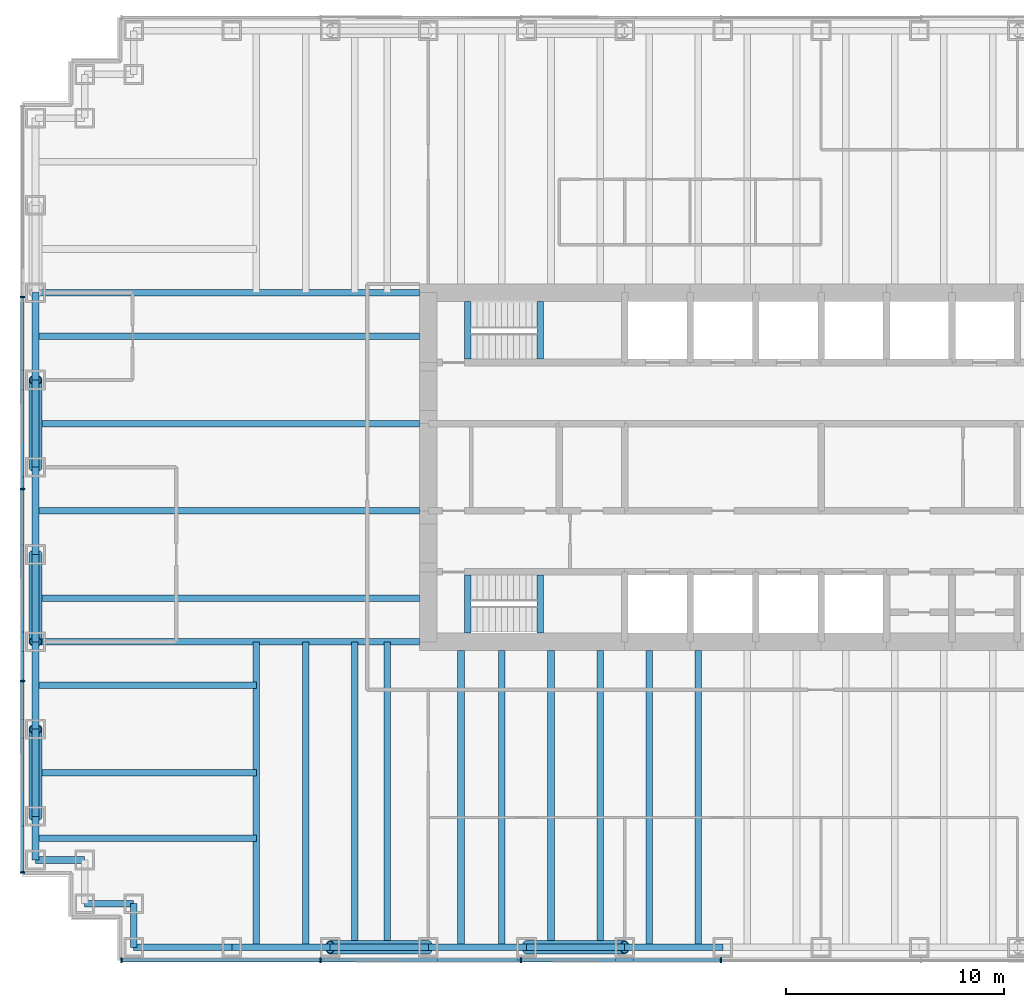
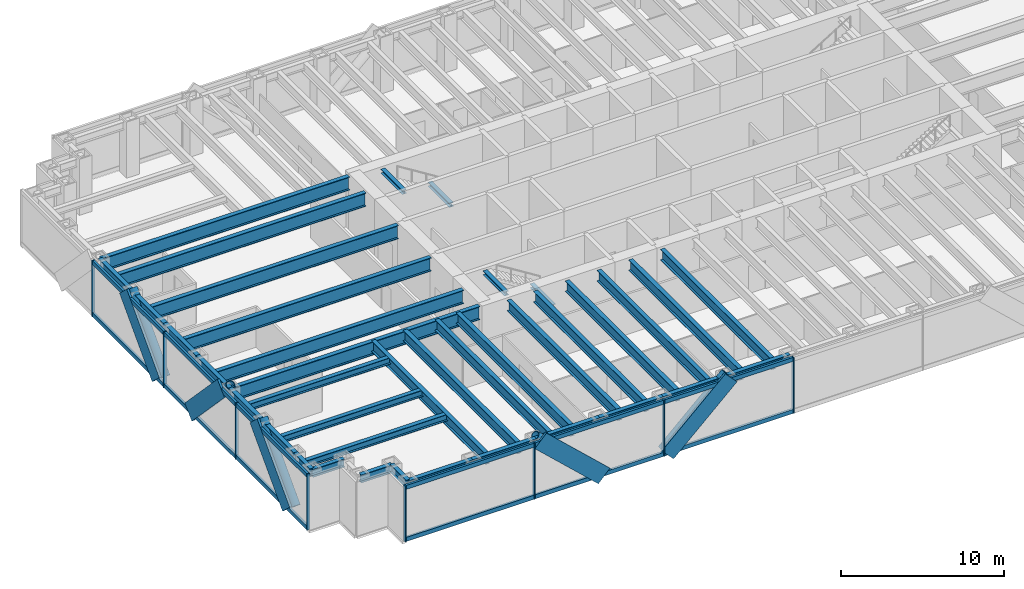
# One storey, part 2 of 14: 39 beams, 30 members, 2 elements without a shape of their own.
"""IFC4 building model written with IfcOpenShell, lengths in metres."""

from ifc_helpers import new_model, si_unit, direction, frame, origin, origin_2d, place, context, subcontext, project, spatial, rectangle, hollow_circle, i_section, extrude, material, material_profile, profile_set, type_object, element, aggregate, save


model = new_model("IFC4")

# Units and contexts
model_context = context("Model", 3, precision=1e-05, world=origin(), true_north=direction((0.0, 1.0)))
body_context = subcontext(model_context, "Body", "Model", "MODEL_VIEW")
ifc_project = project(units=[si_unit("LENGTHUNIT", "METRE"), si_unit("AREAUNIT", "SQUARE_METRE"), si_unit("VOLUMEUNIT", "CUBIC_METRE"), si_unit("PLANEANGLEUNIT", "RADIAN"), si_unit("MASSUNIT", "GRAM", prefix="KILO")], contexts=[model_context])

# Site, building, storey
site_placement = place(None, origin())
site = spatial("IfcSite", under=ifc_project, at=site_placement, CompositionType="ELEMENT")
building_placement = place(site_placement, origin())
building = spatial("IfcBuilding", under=site, at=building_placement, Name="Rheinbord Bourse Tower", CompositionType="ELEMENT")
storey_placement = place(building_placement, frame((0.0, 0.0, 202.60009765625)))
storey = spatial("IfcBuildingStorey", under=building, at=storey_placement, Name="L45", CompositionType="ELEMENT", Elevation=202.60009765625)

# Curtain wall, members
ifc_material_1 = material(Name="Dark glass and black aluminium", Category="aluminium")
curtain_wall_type = type_object("IfcCurtainWallType", Name="CW2 DARK GLASS CURTAIN WALL", PredefinedType="USERDEFINED", material=ifc_material_1)
curtain_wall_1_placement = place(storey_placement, origin())
curtain_wall_1 = element("IfcCurtainWall", 1, at=curtain_wall_1_placement, inside=storey, type_object=curtain_wall_type, Name="Curtain wall CW2 S L45", ObjectType="UNITISED CURTAIN WALL", PredefinedType="USERDEFINED")
ifc_material_2 = material(Name="Black anodised aluminium", Category="aluminium")
ifc_material_profile_1 = material_profile(ifc_material_2, rectangle(XDim=0.159912109375, YDim=1.2099609375, at=origin_2d()), Name="CW2 DIAGONAL MULLION 1210x160")
ifc_profile_set_1 = profile_set([ifc_material_profile_1], Name="Black anodised aluminium")
member_type_1 = type_object("IfcMemberType", Name="CW2 BLACK DIAGONAL MULLION", PredefinedType="USERDEFINED", material=ifc_profile_set_1)
member_1_placement = place(storey_placement, frame((22.5, 1.39990234375, 0.0), z_axis=(0.73105922506, 0.0, 0.682314010889), x_axis=(0.0, 1.0, 0.0)))
member_1 = element("IfcMember", 2, at=member_1_placement, type_object=member_type_1, Name="CW2 diagonal mullion b", ObjectType="DIAGONAL MULLION", PredefinedType="USERDEFINED", context=body_context, shape_type="SweptSolid", body=[
    extrude(rectangle(XDim=0.159912109375, YDim=1.2099609375, at=origin_2d()), origin(), (0.0, 0.0, 1.0), 6.155517578125),
])
member_2_placement = place(storey_placement, frame((18.0, 1.39990234375, 0.0), z_axis=(-0.73105922506, 0.0, 0.682314010889), x_axis=(0.0, -1.0, 0.0)))
member_2 = element("IfcMember", 3, at=member_2_placement, type_object=member_type_1, Name="CW2 diagonal mullion c", ObjectType="DIAGONAL MULLION", PredefinedType="USERDEFINED", context=body_context, shape_type="SweptSolid", body=[
    extrude(rectangle(XDim=0.159912109375, YDim=1.2099609375, at=origin_2d()), origin(), (0.0, 0.0, 1.0), 6.155517578125),
])

curtain_wall_2_placement = place(storey_placement, origin())
curtain_wall_2 = element("IfcCurtainWall", 4, at=curtain_wall_2_placement, inside=storey, type_object=curtain_wall_type, Name="Curtain wall CW2 W L45", ObjectType="UNITISED CURTAIN WALL", PredefinedType="USERDEFINED")
member_3_placement = place(storey_placement, frame((-0.60009765625, 8.0, 0.0), z_axis=(0.0, 0.689659376744, 0.724133926887), x_axis=(-1.0, 0.0, 0.0)))
member_3 = element("IfcMember", 5, at=member_3_placement, type_object=member_type_1, Name="CW2 diagonal mullion b", ObjectType="DIAGONAL MULLION", PredefinedType="USERDEFINED", context=body_context, shape_type="SweptSolid", body=[
    extrude(rectangle(XDim=0.159912109375, YDim=1.2099609375, at=origin_2d()), origin(), (0.0, 0.0, 1.0), 5.800048828125),
])
member_4_placement = place(storey_placement, frame((-0.60009765625, 20.0, 0.0), z_axis=(0.0, -0.689659376744, 0.724133926887), x_axis=(1.0, 0.0, 0.0)))
member_4 = element("IfcMember", 6, at=member_4_placement, type_object=member_type_1, Name="CW2 diagonal mullion c", ObjectType="DIAGONAL MULLION", PredefinedType="USERDEFINED", context=body_context, shape_type="SweptSolid", body=[
    extrude(rectangle(XDim=0.159912109375, YDim=1.2099609375, at=origin_2d()), origin(), (0.0, 0.0, 1.0), 5.800048828125),
])
member_5_placement = place(storey_placement, frame((-0.60009765625, 24.0, 0.0), z_axis=(0.0, 0.689659376744, 0.724133926887), x_axis=(-1.0, 0.0, 0.0)))
member_5 = element("IfcMember", 7, at=member_5_placement, type_object=member_type_1, Name="CW2 diagonal mullion d", ObjectType="DIAGONAL MULLION", PredefinedType="USERDEFINED", context=body_context, shape_type="SweptSolid", body=[
    extrude(rectangle(XDim=0.159912109375, YDim=1.2099609375, at=origin_2d()), origin(), (0.0, 0.0, 1.0), 5.800048828125),
])

# Member
ifc_material_3 = material(Name="Black anodised aluminium", Category="aluminium")
ifc_material_profile_2 = material_profile(ifc_material_3, rectangle(XDim=0.219970703125, YDim=0.070068359375, at=origin_2d()), Name="CW2 MULLION 70x220")
ifc_profile_set_2 = profile_set([ifc_material_profile_2], Name="Black anodised aluminium")
member_type_2 = type_object("IfcMemberType", Name="CW2 BLACK MULLION", PredefinedType="MULLION", material=ifc_profile_set_2)
member_6_placement = place(storey_placement, frame((3.93505859375, 1.39990234375, 0.0), z_axis=(0.0, 0.0, 1.0), x_axis=(0.0, 1.0, 0.0)))
member_6 = element("IfcMember", 8, at=member_6_placement, type_object=member_type_2, Name="CW2 mullion 1", PredefinedType="MULLION", context=body_context, shape_type="SweptSolid", body=[
    extrude(rectangle(XDim=0.219970703125, YDim=0.070068359375, at=origin_2d()), origin(), (0.0, 0.0, 1.0), 4.199951171875),
])

member_7_placement = place(storey_placement, frame((13.071533203125, 1.39990234375, 0.0), z_axis=(0.0, 0.0, 1.0), x_axis=(0.0, 1.0, 0.0)))
member_7 = element("IfcMember", 9, at=member_7_placement, type_object=member_type_2, Name="CW2 mullion 2", PredefinedType="MULLION", context=body_context, shape_type="SweptSolid", body=[
    extrude(rectangle(XDim=0.219970703125, YDim=0.070068359375, at=origin_2d()), origin(), (0.0, 0.0, 1.0), 4.199951171875),
])

member_8_placement = place(storey_placement, frame((22.242919921875, 1.39990234375, 0.0), z_axis=(0.0, 0.0, 1.0), x_axis=(0.0, 1.0, 0.0)))
member_8 = element("IfcMember", 10, at=member_8_placement, type_object=member_type_2, Name="CW2 mullion 3", PredefinedType="MULLION", context=body_context, shape_type="SweptSolid", body=[
    extrude(rectangle(XDim=0.219970703125, YDim=0.070068359375, at=origin_2d()), origin(), (0.0, 0.0, 1.0), 4.199951171875),
])

member_9_placement = place(storey_placement, frame((31.414306640625, 1.39990234375, 0.0), z_axis=(0.0, 0.0, 1.0), x_axis=(0.0, 1.0, 0.0)))
member_9 = element("IfcMember", 11, at=member_9_placement, type_object=member_type_2, Name="CW2 mullion 4", PredefinedType="MULLION", context=body_context, shape_type="SweptSolid", body=[
    extrude(rectangle(XDim=0.219970703125, YDim=0.070068359375, at=origin_2d()), origin(), (0.0, 0.0, 1.0), 4.199951171875),
])

member_10_placement = place(storey_placement, frame((-0.60009765625, 31.800048828125, 0.0), z_axis=(0.0, 0.0, 1.0), x_axis=(1.0, 0.0, 0.0)))
member_10 = element("IfcMember", 12, at=member_10_placement, type_object=member_type_2, Name="CW2 mullion 2", PredefinedType="MULLION", context=body_context, shape_type="SweptSolid", body=[
    extrude(rectangle(XDim=0.219970703125, YDim=0.070068359375, at=origin_2d()), origin(), (0.0, 0.0, 1.0), 4.199951171875),
])

member_11_placement = place(storey_placement, frame((-0.60009765625, 23.0, 0.0), z_axis=(0.0, 0.0, 1.0), x_axis=(1.0, 0.0, 0.0)))
member_11 = element("IfcMember", 13, at=member_11_placement, type_object=member_type_2, Name="CW2 mullion 3", PredefinedType="MULLION", context=body_context, shape_type="SweptSolid", body=[
    extrude(rectangle(XDim=0.219970703125, YDim=0.070068359375, at=origin_2d()), origin(), (0.0, 0.0, 1.0), 4.199951171875),
])

member_12_placement = place(storey_placement, frame((-0.60009765625, 14.199951171875, 0.0), z_axis=(0.0, 0.0, 1.0), x_axis=(1.0, 0.0, 0.0)))
member_12 = element("IfcMember", 14, at=member_12_placement, type_object=member_type_2, Name="CW2 mullion 4", PredefinedType="MULLION", context=body_context, shape_type="SweptSolid", body=[
    extrude(rectangle(XDim=0.219970703125, YDim=0.070068359375, at=origin_2d()), origin(), (0.0, 0.0, 1.0), 4.199951171875),
])

member_13_placement = place(storey_placement, frame((-0.60009765625, 5.43505859375, 0.0), z_axis=(0.0, 0.0, 1.0), x_axis=(1.0, 0.0, 0.0)))
member_13 = element("IfcMember", 15, at=member_13_placement, type_object=member_type_2, Name="CW2 mullion 5", PredefinedType="MULLION", context=body_context, shape_type="SweptSolid", body=[
    extrude(rectangle(XDim=0.219970703125, YDim=0.070068359375, at=origin_2d()), origin(), (0.0, 0.0, 1.0), 4.199951171875),
])

ifc_material_4 = material(Name="Black anodised aluminium", Category="aluminium")
ifc_material_profile_3 = material_profile(ifc_material_4, rectangle(XDim=0.159912109375, YDim=0.300048828125, at=origin_2d()), Name="CW2 TRANSOM 300x160")
ifc_profile_set_3 = profile_set([ifc_material_profile_3], Name="Black anodised aluminium")
member_type_3 = type_object("IfcMemberType", Name="CW2 BLACK TRANSOM", PredefinedType="USERDEFINED", material=ifc_profile_set_3)
member_14_placement = place(storey_placement, frame((3.969970703125, 1.39990234375, 0.14990234375), z_axis=(1.0, 0.0, 0.0), x_axis=(0.0, 1.0, 0.0)))
member_14 = element("IfcMember", 16, at=member_14_placement, type_object=member_type_3, Name="CW2 transom 1.1", ObjectType="TRANSOM", PredefinedType="USERDEFINED", context=body_context, shape_type="SweptSolid", body=[
    extrude(rectangle(XDim=0.159912109375, YDim=0.300048828125, at=origin_2d()), origin(), (0.0, 0.0, 1.0), 9.06640625),
])

member_15_placement = place(storey_placement, frame((3.969970703125, 1.39990234375, 4.0498046875), z_axis=(1.0, 0.0, 0.0), x_axis=(0.0, 1.0, 0.0)))
member_15 = element("IfcMember", 17, at=member_15_placement, type_object=member_type_3, Name="CW2 transom 1.2", ObjectType="TRANSOM", PredefinedType="USERDEFINED", context=body_context, shape_type="SweptSolid", body=[
    extrude(rectangle(XDim=0.159912109375, YDim=0.300048828125, at=origin_2d()), origin(), (0.0, 0.0, 1.0), 9.06640625),
])

member_16_placement = place(storey_placement, frame((13.1064453125, 1.39990234375, 0.14990234375), z_axis=(1.0, 0.0, 0.0), x_axis=(0.0, 1.0, 0.0)))
member_16 = element("IfcMember", 18, at=member_16_placement, type_object=member_type_3, Name="CW2 transom 2.1", ObjectType="TRANSOM", PredefinedType="USERDEFINED", context=body_context, shape_type="SweptSolid", body=[
    extrude(rectangle(XDim=0.159912109375, YDim=0.300048828125, at=origin_2d()), origin(), (0.0, 0.0, 1.0), 9.101318359375),
])

member_17_placement = place(storey_placement, frame((13.1064453125, 1.39990234375, 4.0498046875), z_axis=(1.0, 0.0, 0.0), x_axis=(0.0, 1.0, 0.0)))
member_17 = element("IfcMember", 19, at=member_17_placement, type_object=member_type_3, Name="CW2 transom 2.2", ObjectType="TRANSOM", PredefinedType="USERDEFINED", context=body_context, shape_type="SweptSolid", body=[
    extrude(rectangle(XDim=0.159912109375, YDim=0.300048828125, at=origin_2d()), origin(), (0.0, 0.0, 1.0), 9.101318359375),
])

member_18_placement = place(storey_placement, frame((22.27783203125, 1.39990234375, 0.14990234375), z_axis=(1.0, 0.0, 0.0), x_axis=(0.0, 1.0, 0.0)))
member_18 = element("IfcMember", 20, at=member_18_placement, type_object=member_type_3, Name="CW2 transom 3.1", ObjectType="TRANSOM", PredefinedType="USERDEFINED", context=body_context, shape_type="SweptSolid", body=[
    extrude(rectangle(XDim=0.159912109375, YDim=0.300048828125, at=origin_2d()), origin(), (0.0, 0.0, 1.0), 9.1015625),
])

member_19_placement = place(storey_placement, frame((22.27783203125, 1.39990234375, 4.0498046875), z_axis=(1.0, 0.0, 0.0), x_axis=(0.0, 1.0, 0.0)))
member_19 = element("IfcMember", 21, at=member_19_placement, type_object=member_type_3, Name="CW2 transom 3.2", ObjectType="TRANSOM", PredefinedType="USERDEFINED", context=body_context, shape_type="SweptSolid", body=[
    extrude(rectangle(XDim=0.159912109375, YDim=0.300048828125, at=origin_2d()), origin(), (0.0, 0.0, 1.0), 9.1015625),
])

aggregate(curtain_wall_1, [member_6, member_7, member_8, member_9, member_14, member_15, member_16, member_17, member_18, member_19, member_1, member_2])

member_20_placement = place(storey_placement, frame((-0.60009765625, 31.764892578125, 0.14990234375), z_axis=(0.0, -1.0, 0.0), x_axis=(1.0, 0.0, 0.0)))
member_20 = element("IfcMember", 22, at=member_20_placement, type_object=member_type_3, Name="CW2 transom 2.1", ObjectType="TRANSOM", PredefinedType="USERDEFINED", context=body_context, shape_type="SweptSolid", body=[
    extrude(rectangle(XDim=0.159912109375, YDim=0.300048828125, at=origin_2d()), origin(), (0.0, 0.0, 1.0), 8.72998046875),
])

member_21_placement = place(storey_placement, frame((-0.60009765625, 31.764892578125, 4.0498046875), z_axis=(0.0, -1.0, 0.0), x_axis=(1.0, 0.0, 0.0)))
member_21 = element("IfcMember", 23, at=member_21_placement, type_object=member_type_3, Name="CW2 transom 2.2", ObjectType="TRANSOM", PredefinedType="USERDEFINED", context=body_context, shape_type="SweptSolid", body=[
    extrude(rectangle(XDim=0.159912109375, YDim=0.300048828125, at=origin_2d()), origin(), (0.0, 0.0, 1.0), 8.72998046875),
])

member_22_placement = place(storey_placement, frame((-0.60009765625, 22.965087890625, 0.14990234375), z_axis=(0.0, -1.0, 0.0), x_axis=(1.0, 0.0, 0.0)))
member_22 = element("IfcMember", 24, at=member_22_placement, type_object=member_type_3, Name="CW2 transom 3.1", ObjectType="TRANSOM", PredefinedType="USERDEFINED", context=body_context, shape_type="SweptSolid", body=[
    extrude(rectangle(XDim=0.159912109375, YDim=0.300048828125, at=origin_2d()), origin(), (0.0, 0.0, 1.0), 8.72998046875),
])

member_23_placement = place(storey_placement, frame((-0.60009765625, 22.965087890625, 4.0498046875), z_axis=(0.0, -1.0, 0.0), x_axis=(1.0, 0.0, 0.0)))
member_23 = element("IfcMember", 25, at=member_23_placement, type_object=member_type_3, Name="CW2 transom 3.2", ObjectType="TRANSOM", PredefinedType="USERDEFINED", context=body_context, shape_type="SweptSolid", body=[
    extrude(rectangle(XDim=0.159912109375, YDim=0.300048828125, at=origin_2d()), origin(), (0.0, 0.0, 1.0), 8.72998046875),
])

member_24_placement = place(storey_placement, frame((-0.60009765625, 14.1650390625, 0.14990234375), z_axis=(0.0, -1.0, 0.0), x_axis=(1.0, 0.0, 0.0)))
member_24 = element("IfcMember", 26, at=member_24_placement, type_object=member_type_3, Name="CW2 transom 4.1", ObjectType="TRANSOM", PredefinedType="USERDEFINED", context=body_context, shape_type="SweptSolid", body=[
    extrude(rectangle(XDim=0.159912109375, YDim=0.300048828125, at=origin_2d()), origin(), (0.0, 0.0, 1.0), 8.695068359375),
])

member_25_placement = place(storey_placement, frame((-0.60009765625, 14.1650390625, 4.0498046875), z_axis=(0.0, -1.0, 0.0), x_axis=(1.0, 0.0, 0.0)))
member_25 = element("IfcMember", 27, at=member_25_placement, type_object=member_type_3, Name="CW2 transom 4.2", ObjectType="TRANSOM", PredefinedType="USERDEFINED", context=body_context, shape_type="SweptSolid", body=[
    extrude(rectangle(XDim=0.159912109375, YDim=0.300048828125, at=origin_2d()), origin(), (0.0, 0.0, 1.0), 8.695068359375),
])

aggregate(curtain_wall_2, [member_10, member_11, member_12, member_13, member_20, member_21, member_22, member_23, member_24, member_25, member_3, member_4, member_5])

# Beams
ifc_material_5 = material(Name="Steel S460", Category="steel")
ifc_material_profile_4 = material_profile(ifc_material_5, i_section(OverallWidth=0.302001953125, OverallDepth=1.008056640625, WebThickness=0.02099609375, FlangeThickness=0.0400390625, at=origin_2d()), Name="HEM 1000")
ifc_profile_set_4 = profile_set([ifc_material_profile_4], Name="Steel S460")
beam_type_1 = type_object("IfcBeamType", Name="END BEAM HEM 1000", PredefinedType="BEAM", material=ifc_profile_set_4)
for number, where, z_axis, x_axis, name in (
    (28, (0.0, 18.0, 3.535888671875), (1.0, 0.0, 0.0), (0.0, 1.0, 0.0), "End beam west 18 L46"),
    (29, (0.0, 22.0, 3.535888671875), (1.0, 0.0, 0.0), (0.0, 1.0, 0.0), "End beam west 22 L46"),
    (30, (0.0, 26.0, 3.535888671875), (1.0, 0.0, 0.0), (0.0, 1.0, 0.0), "End beam west 26 L46"),
    (31, (0.0, 30.0, 3.535888671875), (1.0, 0.0, 0.0), (0.0, 1.0, 0.0), "End beam west 30 L46"),
):
    element("IfcBeam", number, at=place(storey_placement, frame(where, z_axis=z_axis, x_axis=x_axis)), inside=storey, type_object=beam_type_1, Name=name, PredefinedType="BEAM", context=body_context, shape_type="SweptSolid", body=[
        extrude(i_section(OverallWidth=0.302001953125, OverallDepth=1.008056640625, WebThickness=0.02099609375, FlangeThickness=0.0400390625, at=origin_2d()), origin(), (0.0, 0.0, 1.0), 17.60009765625),
    ])
ifc_material_6 = material(Name="Steel S460", Category="steel")
ifc_material_profile_5 = material_profile(ifc_material_6, i_section(OverallWidth=0.300048828125, OverallDepth=0.800048828125, WebThickness=0.017578125, FlangeThickness=0.032958984375, at=origin_2d()), Name="HEB 800")
ifc_profile_set_5 = profile_set([ifc_material_profile_5], Name="Steel S460")
beam_type_2 = type_object("IfcBeamType", Name="FLOOR BEAM HEB 800", PredefinedType="BEAM", material=ifc_profile_set_5)
for number, where, z_axis, x_axis, name in (
    (32, (10.125, 2.0, 3.639892578125), (0.0, 1.0, 0.0), (-1.0, 0.0, 0.0), "Floor beam S-9a L46"),
    (33, (12.375, 2.0, 3.639892578125), (0.0, 1.0, 0.0), (-1.0, 0.0, 0.0), "Floor beam S-9b L46"),
    (34, (14.625, 2.0, 3.639892578125), (0.0, 1.0, 0.0), (-1.0, 0.0, 0.0), "Floor beam S-13.5a L46"),
    (35, (16.125, 2.0, 3.639892578125), (0.0, 1.0, 0.0), (-1.0, 0.0, 0.0), "Floor beam S-13.5b L46"),
):
    element("IfcBeam", number, at=place(storey_placement, frame(where, z_axis=z_axis, x_axis=x_axis)), inside=storey, type_object=beam_type_2, Name=name, PredefinedType="BEAM", context=body_context, shape_type="SweptSolid", body=[
        extrude(i_section(OverallWidth=0.300048828125, OverallDepth=0.800048828125, WebThickness=0.017578125, FlangeThickness=0.032958984375, at=origin_2d()), origin(), (0.0, 0.0, 1.0), 14.0),
    ])
for number, where, z_axis, x_axis, name in (
    (36, (19.5, 2.0, 3.639892578125), (0.0, 1.0, 0.0), (-1.0, 0.0, 0.0), "Floor beam S-18a L46"),
    (37, (21.375, 2.0, 3.639892578125), (0.0, 1.0, 0.0), (-1.0, 0.0, 0.0), "Floor beam S-18b L46"),
    (38, (23.625, 2.0, 3.639892578125), (0.0, 1.0, 0.0), (-1.0, 0.0, 0.0), "Floor beam S-22.5a L46"),
    (39, (25.875, 2.0, 3.639892578125), (0.0, 1.0, 0.0), (-1.0, 0.0, 0.0), "Floor beam S-22.5b L46"),
    (40, (28.125, 2.0, 3.639892578125), (0.0, 1.0, 0.0), (-1.0, 0.0, 0.0), "Floor beam S-27a L46"),
    (41, (30.375, 2.0, 3.639892578125), (0.0, 1.0, 0.0), (-1.0, 0.0, 0.0), "Floor beam S-27b L46"),
):
    element("IfcBeam", number, at=place(storey_placement, frame(where, z_axis=z_axis, x_axis=x_axis)), inside=storey, type_object=beam_type_2, Name=name, PredefinedType="BEAM", context=body_context, shape_type="SweptSolid", body=[
        extrude(i_section(OverallWidth=0.300048828125, OverallDepth=0.800048828125, WebThickness=0.017578125, FlangeThickness=0.032958984375, at=origin_2d()), origin(), (0.0, 0.0, 1.0), 13.60009765625),
    ])
ifc_material_7 = material(Name="Steel S460", Category="steel")
ifc_material_profile_6 = material_profile(ifc_material_7, i_section(OverallWidth=0.302001953125, OverallDepth=1.008056640625, WebThickness=0.02099609375, FlangeThickness=0.0400390625, at=origin_2d()), Name="HEM 1000")
ifc_profile_set_6 = profile_set([ifc_material_profile_6], Name="Steel S460")
beam_type_3 = type_object("IfcBeamType", Name="GIRDER HEM 1000", PredefinedType="BEAM", material=ifc_profile_set_6)
for number, where, z_axis, x_axis, name in (
    (42, (0.0, 16.0, 3.535888671875), (1.0, 0.0, 0.0), (0.0, 1.0, 0.0), "Girder west 16 L46"),
    (43, (0.0, 32.0, 3.535888671875), (1.0, 0.0, 0.0), (0.0, 1.0, 0.0), "Girder west 32 L46"),
):
    element("IfcBeam", number, at=place(storey_placement, frame(where, z_axis=z_axis, x_axis=x_axis)), inside=storey, type_object=beam_type_3, Name=name, PredefinedType="BEAM", context=body_context, shape_type="SweptSolid", body=[
        extrude(i_section(OverallWidth=0.302001953125, OverallDepth=1.008056640625, WebThickness=0.02099609375, FlangeThickness=0.0400390625, at=origin_2d()), origin(), (0.0, 0.0, 1.0), 17.60009765625),
    ])
ifc_material_8 = material(Name="Steel S460", Category="steel")
ifc_material_profile_7 = material_profile(ifc_material_8, i_section(OverallWidth=0.300048828125, OverallDepth=0.300048828125, WebThickness=0.010986328125, FlangeThickness=0.01904296875, at=origin_2d()), Name="HEB 300")
ifc_profile_set_7 = profile_set([ifc_material_profile_7], Name="Steel S460")
beam_type_4 = type_object("IfcBeamType", Name="LANDING TRIMMER HEB 300", PredefinedType="BEAM", material=ifc_profile_set_7)
for number, where, z_axis, x_axis, name in (
    (44, (23.1298828125, 16.39990234375, 1.75), (0.0, 1.0, 0.0), (-1.0, 0.0, 0.0), "Landing trimmer ST1 L45"),
    (45, (19.800048828125, 16.39990234375, 3.889892578125), (0.0, 1.0, 0.0), (-1.0, 0.0, 0.0), "Well trimmer ST1 under L46"),
    (46, (23.1298828125, 28.949951171875, 1.75), (0.0, 1.0, 0.0), (-1.0, 0.0, 0.0), "Landing trimmer ST2 L45"),
    (47, (19.800048828125, 28.949951171875, 3.889892578125), (0.0, 1.0, 0.0), (-1.0, 0.0, 0.0), "Well trimmer ST2 under L46"),
):
    element("IfcBeam", number, at=place(storey_placement, frame(where, z_axis=z_axis, x_axis=x_axis)), inside=storey, type_object=beam_type_4, Name=name, PredefinedType="BEAM", context=body_context, shape_type="SweptSolid", body=[
        extrude(i_section(OverallWidth=0.300048828125, OverallDepth=0.300048828125, WebThickness=0.010986328125, FlangeThickness=0.01904296875, at=origin_2d()), origin(), (0.0, 0.0, 1.0), 2.650146484375),
    ])

# Members
ifc_material_9 = material(Name="Steel S460", Category="steel")
ifc_material_profile_8 = material_profile(ifc_material_9, hollow_circle(Radius=0.304931640625, WallThickness=0.0400390625, at=origin_2d()), Name="CHS 610x40")
ifc_profile_set_8 = profile_set([ifc_material_profile_8], Name="Steel S460")
member_type_4 = type_object("IfcMemberType", Name="MEGABRACE CHS 610x40", PredefinedType="BRACE", material=ifc_profile_set_8)
for number, where, z_axis, x_axis, name in (
    (48, (22.5, 2.0, 0.0), (0.73105922506, 0.0, 0.682314010889), (0.0, 1.0, 0.0), "Megabrace S face line b L45"),
    (49, (18.0, 2.0, 0.0), (-0.73105922506, 0.0, 0.682314010889), (0.0, -1.0, 0.0), "Megabrace S face line c L45"),
):
    element("IfcMember", number, at=place(storey_placement, frame(where, z_axis=z_axis, x_axis=x_axis)), inside=storey, type_object=member_type_4, Name=name, PredefinedType="BRACE", context=body_context, shape_type="SweptSolid", body=[
        extrude(hollow_circle(Radius=0.304931640625, WallThickness=0.0400390625, at=origin_2d()), origin(), (0.0, 0.0, 1.0), 6.155517578125),
    ])
for number, where, z_axis, x_axis, name in (
    (50, (0.0, 8.0, 0.0), (0.0, 0.689659376744, 0.724133926887), (-1.0, 0.0, 0.0), "Megabrace W face line b L45"),
    (51, (0.0, 20.0, 0.0), (0.0, -0.689659376744, 0.724133926887), (1.0, 0.0, 0.0), "Megabrace W face line c L45"),
    (52, (0.0, 24.0, 0.0), (0.0, 0.689659376744, 0.724133926887), (-1.0, 0.0, 0.0), "Megabrace W face line d L45"),
):
    element("IfcMember", number, at=place(storey_placement, frame(where, z_axis=z_axis, x_axis=x_axis)), inside=storey, type_object=member_type_4, Name=name, PredefinedType="BRACE", context=body_context, shape_type="SweptSolid", body=[
        extrude(hollow_circle(Radius=0.304931640625, WallThickness=0.0400390625, at=origin_2d()), origin(), (0.0, 0.0, 1.0), 5.800048828125),
    ])

# Beams
ifc_material_10 = material(Name="Steel S460", Category="steel")
ifc_material_profile_9 = material_profile(ifc_material_10, i_section(OverallWidth=0.300048828125, OverallDepth=0.60009765625, WebThickness=0.015380859375, FlangeThickness=0.030029296875, at=origin_2d()), Name="HEB 600")
ifc_profile_set_9 = profile_set([ifc_material_profile_9], Name="Steel S460")
beam_type_5 = type_object("IfcBeamType", Name="SPANDREL HEB 600", PredefinedType="SPANDREL", material=ifc_profile_set_9)
for number, where, z_axis, x_axis, name in (
    (53, (4.5, 2.0, 3.739990234375), (1.0, 0.0, 0.0), (0.0, 1.0, 0.0), "Spandrel SW-E-S-9 under L46"),
    (54, (9.0, 2.0, 3.739990234375), (1.0, 0.0, 0.0), (0.0, 1.0, 0.0), "Spandrel S-9-S-13.5 under L46"),
    (55, (13.5, 2.0, 3.739990234375), (1.0, 0.0, 0.0), (0.0, 1.0, 0.0), "Spandrel S-13.5-S-18 under L46"),
    (56, (18.0, 2.0, 3.739990234375), (1.0, 0.0, 0.0), (0.0, 1.0, 0.0), "Spandrel S-18-S-22.5 under L46"),
    (57, (22.5, 2.0, 3.739990234375), (1.0, 0.0, 0.0), (0.0, 1.0, 0.0), "Spandrel S-22.5-S-27 under L46"),
    (58, (27.0, 2.0, 3.739990234375), (1.0, 0.0, 0.0), (0.0, 1.0, 0.0), "Spandrel S-27-S-31.5 under L46"),
):
    element("IfcBeam", number, at=place(storey_placement, frame(where, z_axis=z_axis, x_axis=x_axis)), inside=storey, type_object=beam_type_5, Name=name, PredefinedType="SPANDREL", context=body_context, shape_type="SweptSolid", body=[
        extrude(i_section(OverallWidth=0.300048828125, OverallDepth=0.60009765625, WebThickness=0.015380859375, FlangeThickness=0.030029296875, at=origin_2d()), origin(), (0.0, 0.0, 1.0), 4.5),
    ])
for number, where, z_axis, x_axis, name in (
    (59, (0.0, 32.0, 3.739990234375), (0.0, -1.0, 0.0), (1.0, 0.0, 0.0), "Spandrel W-32-W-28 under L46"),
    (60, (0.0, 28.0, 3.739990234375), (0.0, -1.0, 0.0), (1.0, 0.0, 0.0), "Spandrel W-28-W-24 under L46"),
    (61, (0.0, 24.0, 3.739990234375), (0.0, -1.0, 0.0), (1.0, 0.0, 0.0), "Spandrel W-24-W-20 under L46"),
    (62, (0.0, 20.0, 3.739990234375), (0.0, -1.0, 0.0), (1.0, 0.0, 0.0), "Spandrel W-20-W-16 under L46"),
    (63, (0.0, 16.0, 3.739990234375), (0.0, -1.0, 0.0), (1.0, 0.0, 0.0), "Spandrel W-16-W-12 under L46"),
    (64, (0.0, 12.0, 3.739990234375), (0.0, -1.0, 0.0), (1.0, 0.0, 0.0), "Spandrel W-12-W-8 under L46"),
):
    element("IfcBeam", number, at=place(storey_placement, frame(where, z_axis=z_axis, x_axis=x_axis)), inside=storey, type_object=beam_type_5, Name=name, PredefinedType="SPANDREL", context=body_context, shape_type="SweptSolid", body=[
        extrude(i_section(OverallWidth=0.300048828125, OverallDepth=0.60009765625, WebThickness=0.015380859375, FlangeThickness=0.030029296875, at=origin_2d()), origin(), (0.0, 0.0, 1.0), 4.0),
    ])
beam_1_placement = place(storey_placement, frame((0.0, 8.0, 3.739990234375), z_axis=(0.0, -1.0, 0.0), x_axis=(1.0, 0.0, 0.0)))
element("IfcBeam", 65, at=beam_1_placement, inside=storey, type_object=beam_type_5, Name="Spandrel W-8-SW-A under L46", PredefinedType="SPANDREL", context=body_context, shape_type="SweptSolid", body=[
    extrude(i_section(OverallWidth=0.300048828125, OverallDepth=0.60009765625, WebThickness=0.015380859375, FlangeThickness=0.030029296875, at=origin_2d()), origin(), (0.0, 0.0, 1.0), 2.0),
])
for number, where, z_axis, x_axis, name in (
    (66, (0.0, 6.0, 3.739990234375), (1.0, 0.0, 0.0), (0.0, 1.0, 0.0), "Spandrel SW-A-SW-B under L46"),
    (67, (2.25, 4.0, 3.739990234375), (1.0, 0.0, 0.0), (0.0, 1.0, 0.0), "Spandrel SW-C-SW-D under L46"),
):
    element("IfcBeam", number, at=place(storey_placement, frame(where, z_axis=z_axis, x_axis=x_axis)), inside=storey, type_object=beam_type_5, Name=name, PredefinedType="SPANDREL", context=body_context, shape_type="SweptSolid", body=[
        extrude(i_section(OverallWidth=0.300048828125, OverallDepth=0.60009765625, WebThickness=0.015380859375, FlangeThickness=0.030029296875, at=origin_2d()), origin(), (0.0, 0.0, 1.0), 2.25),
    ])
beam_2_placement = place(storey_placement, frame((4.5, 4.0, 3.739990234375), z_axis=(0.0, -1.0, 0.0), x_axis=(1.0, 0.0, 0.0)))
element("IfcBeam", 68, at=beam_2_placement, inside=storey, type_object=beam_type_5, Name="Spandrel SW-D-SW-E under L46", PredefinedType="SPANDREL", context=body_context, shape_type="SweptSolid", body=[
    extrude(i_section(OverallWidth=0.300048828125, OverallDepth=0.60009765625, WebThickness=0.015380859375, FlangeThickness=0.030029296875, at=origin_2d()), origin(), (0.0, 0.0, 1.0), 2.0),
])
ifc_material_11 = material(Name="Steel S460", Category="steel")
ifc_material_profile_10 = material_profile(ifc_material_11, i_section(OverallWidth=0.300048828125, OverallDepth=0.5, WebThickness=0.014404296875, FlangeThickness=0.028076171875, at=origin_2d()), Name="HEB 500")
ifc_profile_set_10 = profile_set([ifc_material_profile_10], Name="Steel S460")
beam_type_6 = type_object("IfcBeamType", Name="TIE BEAM HEB 500", PredefinedType="JOIST", material=ifc_profile_set_10)
for number, where, z_axis, x_axis, name in (
    (69, (0.0, 7.0, 3.789794921875), (1.0, 0.0, 0.0), (0.0, 1.0, 0.0), "Tie west 7 L46"),
    (70, (0.0, 10.0, 3.789794921875), (1.0, 0.0, 0.0), (0.0, 1.0, 0.0), "Tie west 10 L46"),
    (71, (0.0, 14.0, 3.789794921875), (1.0, 0.0, 0.0), (0.0, 1.0, 0.0), "Tie west 14 L46"),
):
    element("IfcBeam", number, at=place(storey_placement, frame(where, z_axis=z_axis, x_axis=x_axis)), inside=storey, type_object=beam_type_6, Name=name, PredefinedType="JOIST", context=body_context, shape_type="SweptSolid", body=[
        extrude(i_section(OverallWidth=0.300048828125, OverallDepth=0.5, WebThickness=0.014404296875, FlangeThickness=0.028076171875, at=origin_2d()), origin(), (0.0, 0.0, 1.0), 10.125),
    ])

save(model, "model.ifc")
